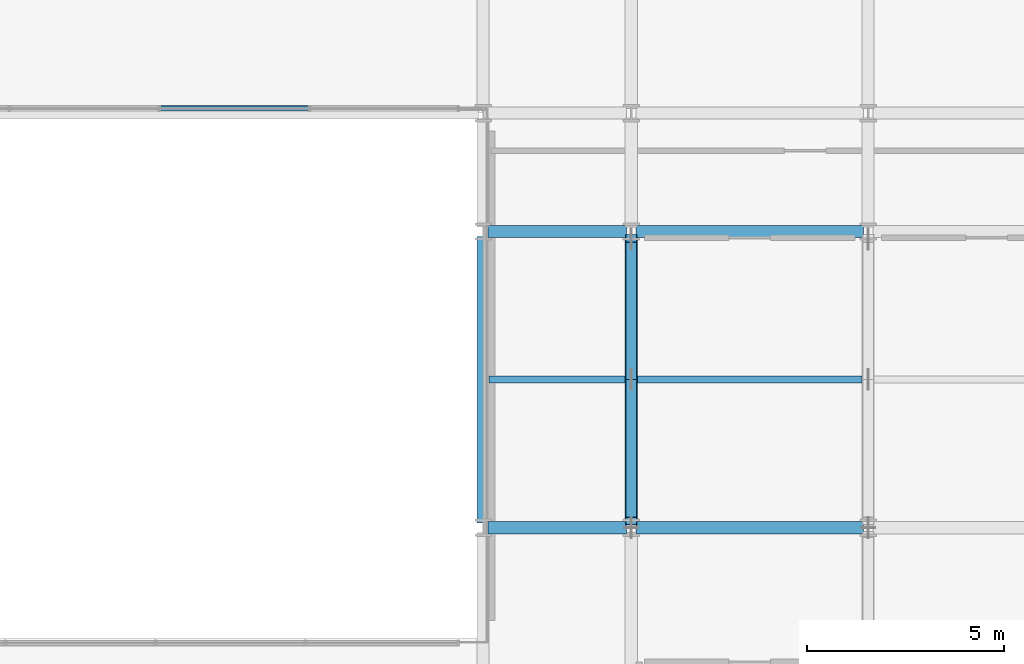
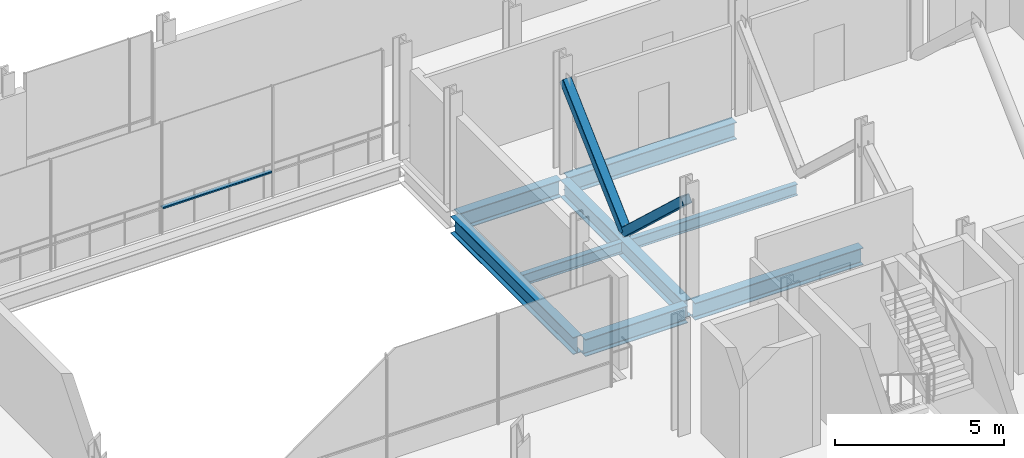
# One storey, part 18 of 32: 8 beams, 3 members, 1 element without a shape of its own.
"""IFC4 building model written with IfcOpenShell, lengths in metres."""

from ifc_helpers import new_model, si_unit, direction, frame, origin, origin_2d, place, context, subcontext, project, spatial, hollow_rectangle, i_section, extrude, material, layer, layer_set, material_profile, profile_set, type_object, element, aggregate, save


model = new_model("IFC4")

# Units and contexts
model_context = context("Model", 3, precision=1e-05, world=origin(), true_north=direction((0.0, 1.0)))
body_context = subcontext(model_context, "Body", "Model", "MODEL_VIEW")
ifc_project = project(units=[si_unit("LENGTHUNIT", "METRE"), si_unit("AREAUNIT", "SQUARE_METRE"), si_unit("VOLUMEUNIT", "CUBIC_METRE"), si_unit("PLANEANGLEUNIT", "RADIAN"), si_unit("MASSUNIT", "GRAM", prefix="KILO")], contexts=[model_context])

# Site, building, storey
site_placement = place(None, origin())
site = spatial("IfcSite", under=ifc_project, at=site_placement, CompositionType="ELEMENT")
building_placement = place(site_placement, origin())
building = spatial("IfcBuilding", under=site, at=building_placement, Name="Brevholm Reach", CompositionType="ELEMENT")
storey_placement = place(building_placement, frame((0.0, 0.0, 96.199951171875)))
storey = spatial("IfcBuildingStorey", under=building, at=storey_placement, Name="L28", CompositionType="ELEMENT", Elevation=96.199951171875)

# Beams
ifc_material_1 = material(Name="Structural Steel S355J2", Category="steel")
ifc_material_profile_1 = material_profile(ifc_material_1, i_section(OverallWidth=0.177978515625, OverallDepth=0.406494140625, WebThickness=0.0078125, FlangeThickness=0.0126953125, FilletRadius=0.01025390625, at=origin_2d()), Name="UKB 406x178x60")
ifc_profile_set_1 = profile_set([ifc_material_profile_1], Name="Structural Steel S355J2")
beam_type_1 = type_object("IfcBeamType", Name="BM-B406", PredefinedType="BEAM", material=ifc_profile_set_1)
beam_1_placement = place(storey_placement, frame((38.403564453125, 19.75, -0.463134765625), z_axis=(1.0, 0.0, 0.0), x_axis=(0.0, 1.0, 0.0)))
element("IfcBeam", 1, at=beam_1_placement, inside=storey, type_object=beam_type_1, Name="L28 Composite Secondary Floor Beam", PredefinedType="BEAM", context=body_context, shape_type="SweptSolid", body=[
    extrude(i_section(OverallWidth=0.177978515625, OverallDepth=0.406494140625, WebThickness=0.0078125, FlangeThickness=0.0126953125, FilletRadius=0.01025390625, at=origin_2d()), origin(), (0.0, 0.0, 1.0), 3.44287109375),
])
beam_2_placement = place(storey_placement, frame((42.153564453125, 19.75, -0.463134765625), z_axis=(1.0, 0.0, 0.0), x_axis=(0.0, 1.0, 0.0)))
element("IfcBeam", 2, at=beam_2_placement, inside=storey, type_object=beam_type_1, Name="L28 Composite Secondary Floor Beam", PredefinedType="BEAM", context=body_context, shape_type="SweptSolid", body=[
    extrude(i_section(OverallWidth=0.177978515625, OverallDepth=0.406494140625, WebThickness=0.0078125, FlangeThickness=0.0126953125, FilletRadius=0.01025390625, at=origin_2d()), origin(), (0.0, 0.0, 1.0), 5.69287109375),
])
ifc_material_2 = material(Name="Structural Steel S355J2", Category="steel")
ifc_material_profile_2 = material_profile(ifc_material_2, i_section(OverallWidth=0.30712890625, OverallDepth=0.6201171875, WebThickness=0.01416015625, FlangeThickness=0.023681640625, FilletRadius=0.0166015625, at=origin_2d()), Name="UKB 610x305x179")
ifc_profile_set_2 = profile_set([ifc_material_profile_2], Name="Structural Steel S355J2")
beam_type_2 = type_object("IfcBeamType", Name="BM-UKB610H", PredefinedType="USERDEFINED", material=ifc_profile_set_2)
beam_3_placement = place(storey_placement, frame((38.3701171875, 16.0, -0.570068359375), z_axis=(1.0, 0.0, 0.0), x_axis=(0.0, 1.0, 0.0)))
element("IfcBeam", 3, at=beam_3_placement, inside=storey, type_object=beam_type_2, Name="L28 G-06 Framing Beam", ObjectType="GIRDER", PredefinedType="USERDEFINED", context=body_context, shape_type="SweptSolid", body=[
    extrude(i_section(OverallWidth=0.30712890625, OverallDepth=0.6201171875, WebThickness=0.01416015625, FlangeThickness=0.023681640625, FilletRadius=0.0166015625, at=origin_2d()), origin(), (0.0, 0.0, 1.0), 3.509765625),
])
beam_4_placement = place(storey_placement, frame((42.1201171875, 16.0, -0.570068359375), z_axis=(1.0, 0.0, 0.0), x_axis=(0.0, 1.0, 0.0)))
element("IfcBeam", 4, at=beam_4_placement, inside=storey, type_object=beam_type_2, Name="L28 G-06 Framing Beam", ObjectType="GIRDER", PredefinedType="USERDEFINED", context=body_context, shape_type="SweptSolid", body=[
    extrude(i_section(OverallWidth=0.30712890625, OverallDepth=0.6201171875, WebThickness=0.01416015625, FlangeThickness=0.023681640625, FilletRadius=0.0166015625, at=origin_2d()), origin(), (0.0, 0.0, 1.0), 5.759765625),
])
beam_5_placement = place(storey_placement, frame((38.3701171875, 23.5, -0.570068359375), z_axis=(1.0, 0.0, 0.0), x_axis=(0.0, 1.0, 0.0)))
element("IfcBeam", 5, at=beam_5_placement, inside=storey, type_object=beam_type_2, Name="L28 G-06 Framing Beam", ObjectType="GIRDER", PredefinedType="USERDEFINED", context=body_context, shape_type="SweptSolid", body=[
    extrude(i_section(OverallWidth=0.30712890625, OverallDepth=0.6201171875, WebThickness=0.01416015625, FlangeThickness=0.023681640625, FilletRadius=0.0166015625, at=origin_2d()), origin(), (0.0, 0.0, 1.0), 3.509765625),
])
beam_6_placement = place(storey_placement, frame((42.1201171875, 23.5, -0.570068359375), z_axis=(1.0, 0.0, 0.0), x_axis=(0.0, 1.0, 0.0)))
element("IfcBeam", 6, at=beam_6_placement, inside=storey, type_object=beam_type_2, Name="L28 G-06 Framing Beam", ObjectType="GIRDER", PredefinedType="USERDEFINED", context=body_context, shape_type="SweptSolid", body=[
    extrude(i_section(OverallWidth=0.30712890625, OverallDepth=0.6201171875, WebThickness=0.01416015625, FlangeThickness=0.023681640625, FilletRadius=0.0166015625, at=origin_2d()), origin(), (0.0, 0.0, 1.0), 5.759765625),
])
for number, where, z_axis, x_axis, name in (
    (7, (38.25, 16.1201171875, -0.570068359375), (0.0, 1.0, 0.0), (-1.0, 0.0, 0.0), "L28 G-06 Framing Beam"),
    (8, (42.0, 16.1201171875, -0.570068359375), (0.0, 1.0, 0.0), (-1.0, 0.0, 0.0), "L28 G-06 Framing Beam"),
):
    element("IfcBeam", number, at=place(storey_placement, frame(where, z_axis=z_axis, x_axis=x_axis)), inside=storey, type_object=beam_type_2, Name=name, ObjectType="GIRDER", PredefinedType="USERDEFINED", context=body_context, shape_type="SweptSolid", body=[
        extrude(i_section(OverallWidth=0.30712890625, OverallDepth=0.6201171875, WebThickness=0.01416015625, FlangeThickness=0.023681640625, FilletRadius=0.0166015625, at=origin_2d()), origin(), (0.0, 0.0, 1.0), 7.259765625),
    ])

# Curtain wall, member
ifc_material_3 = material(Name="Dark Anodised Aluminium 6063-T6 and Solar-Control Glass", Category="aluminium")
ifc_layer = layer(ifc_material_3, 0.139892578125)
ifc_layer_set = layer_set([ifc_layer], Name="Dark Anodised Aluminium 6063-T6 and Solar-Control Glass")
curtain_wall_type = type_object("IfcCurtainWallType", Name="CW-02", PredefinedType="NOTDEFINED", material=ifc_layer_set)
curtain_wall_placement = place(storey_placement, origin())
curtain_wall = element("IfcCurtainWall", 9, at=curtain_wall_placement, inside=storey, type_object=curtain_wall_type, Name="L28 Curtain Wall CW-02", PredefinedType="NOTDEFINED")
ifc_material_4 = material(Name="Dark Anodised Aluminium 6063-T6", Category="aluminium")
ifc_material_profile_3 = material_profile(ifc_material_4, hollow_rectangle(XDim=0.06005859375, YDim=0.139892578125, WallThickness=0.0048828125, InnerFilletRadius=0.0048828125, OuterFilletRadius=0.010009765625, at=origin_2d()), Name="RHS 140x60x5")
ifc_profile_set_3 = profile_set([ifc_material_profile_3], Name="Dark Anodised Aluminium 6063-T6")
member_type_1 = type_object("IfcMemberType", Name="CWT-140", PredefinedType="NOTDEFINED", material=ifc_profile_set_3)
member_placement = place(storey_placement, frame((33.820068359375, 26.6201171875, 0.900146484375), z_axis=(-1.0, 0.0, 0.0), x_axis=(0.0, 0.0, 1.0)))
member = element("IfcMember", 10, at=member_placement, type_object=member_type_1, Name="CT-140 Transom 2.1", ObjectType="TRANSOM", PredefinedType="USERDEFINED", context=body_context, shape_type="SweptSolid", body=[
    extrude(hollow_rectangle(XDim=0.06005859375, YDim=0.139892578125, WallThickness=0.0048828125, InnerFilletRadius=0.0048828125, OuterFilletRadius=0.010009765625, at=origin_2d()), origin(), (0.0, 0.0, 1.0), 3.739990234375),
])
aggregate(curtain_wall, [member])

# Members
ifc_material_5 = material(Name="Structural Steel S460NH", Category="steel")
ifc_material_profile_4 = material_profile(ifc_material_5, hollow_rectangle(XDim=0.300048828125, YDim=0.300048828125, WallThickness=0.012451171875, InnerFilletRadius=0.011962890625, OuterFilletRadius=0.02392578125, at=origin_2d()), Name="SHS 300x300x12.5")
ifc_profile_set_4 = profile_set([ifc_material_profile_4], Name="Structural Steel S460NH")
member_type_2 = type_object("IfcMemberType", Name="MEM-OB-SHS300", PredefinedType="BRACE", material=ifc_profile_set_4)
for number, where, z_axis, x_axis, name in (
    (11, (42.0, 16.169921875, 3.352783203125), (0.0, 0.731936034161, -0.681373349858), (-1.0, 0.0, 0.0), "L28 Outrigger Truss Diagonal X42.1"),
    (12, (42.0, 19.75, 0.02001953125), (0.0, 0.731936034161, 0.681373349858), (-1.0, 0.0, 0.0), "L28 Outrigger Truss Diagonal X42.2"),
):
    element("IfcMember", number, at=place(storey_placement, frame(where, z_axis=z_axis, x_axis=x_axis)), inside=storey, type_object=member_type_2, Name=name, PredefinedType="BRACE", context=body_context, shape_type="SweptSolid", body=[
        extrude(hollow_rectangle(XDim=0.300048828125, YDim=0.300048828125, WallThickness=0.012451171875, InnerFilletRadius=0.011962890625, OuterFilletRadius=0.02392578125, at=origin_2d()), origin(), (0.0, 0.0, 1.0), 4.891357421875),
    ])

save(model, "model.ifc")
